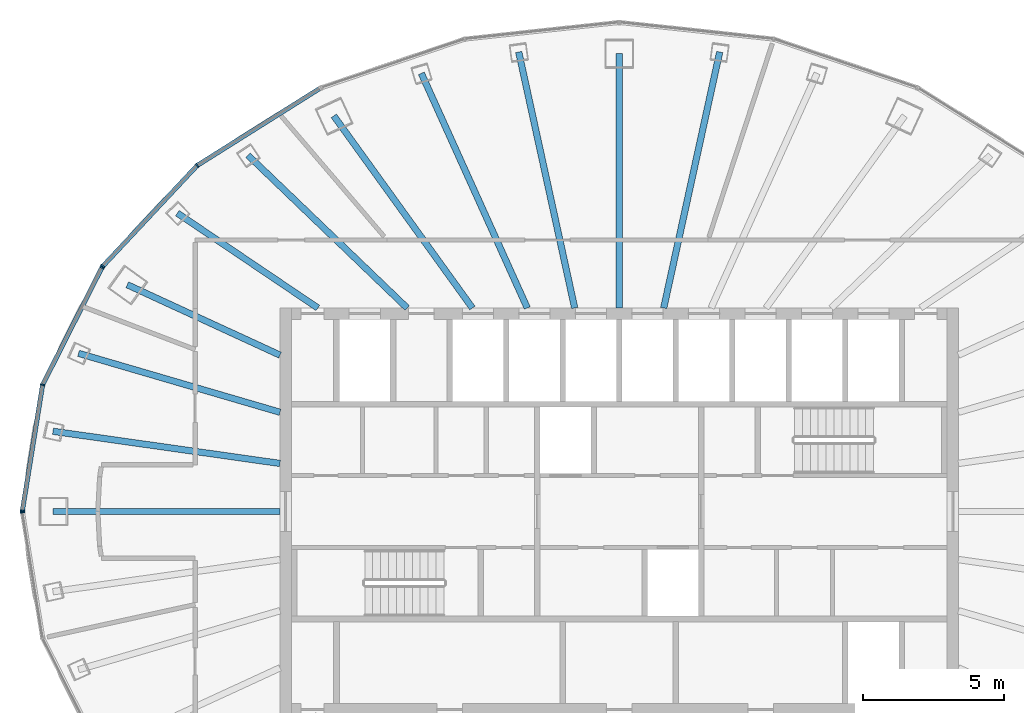
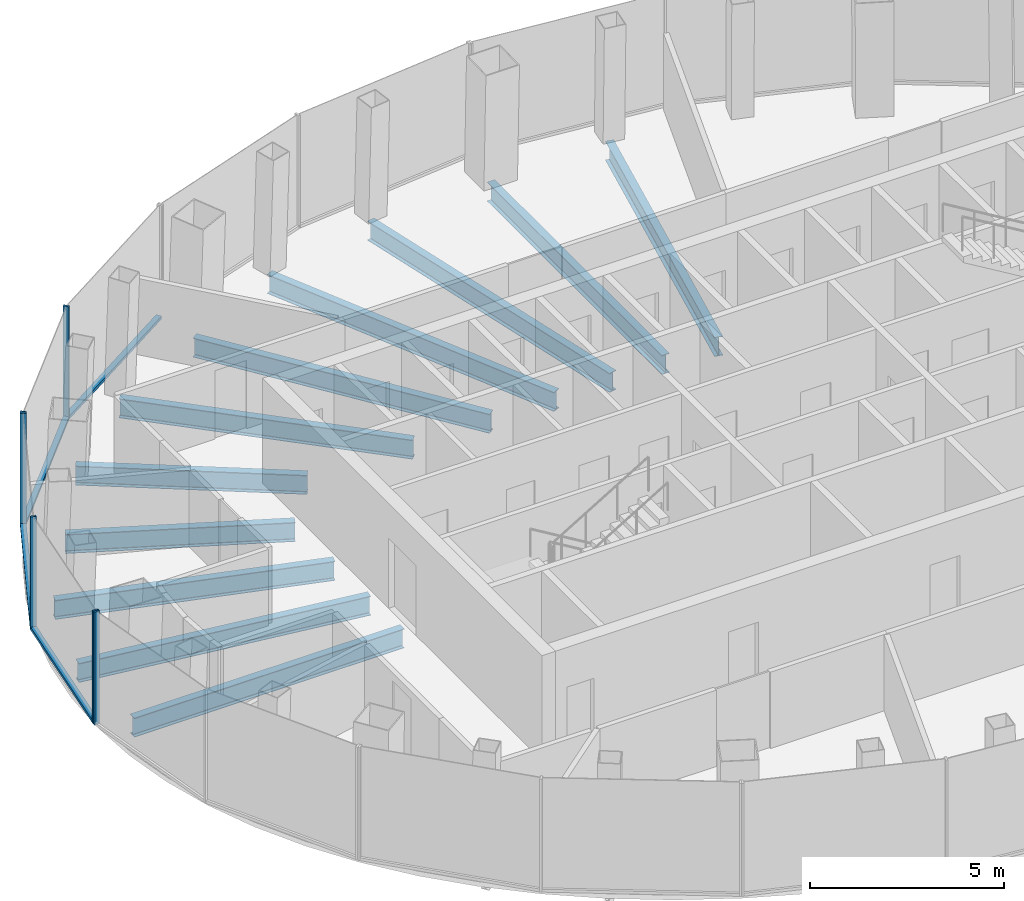
# One storey, part 4 of 11: 11 beams, 10 members, 3 elements without a shape of their own.
"""IFC4 building model written with IfcOpenShell, lengths in metres."""

from ifc_helpers import new_model, si_unit, direction, frame, origin, origin_2d, place, context, subcontext, project, spatial, rectangle, i_section, extrude, material, layer, layer_set, material_profile, profile_set, type_object, element, aggregate, save


model = new_model("IFC4")

# Units and contexts
model_context = context("Model", 3, precision=1e-05, world=origin(), true_north=direction((0.0, 1.0)))
body_context = subcontext(model_context, "Body", "Model", "MODEL_VIEW")
ifc_project = project(units=[si_unit("LENGTHUNIT", "METRE"), si_unit("AREAUNIT", "SQUARE_METRE"), si_unit("VOLUMEUNIT", "CUBIC_METRE"), si_unit("PLANEANGLEUNIT", "RADIAN"), si_unit("MASSUNIT", "GRAM", prefix="KILO")], contexts=[model_context])

# Site, building, storey
site_placement = place(None, origin())
site = spatial("IfcSite", under=ifc_project, at=site_placement, CompositionType="ELEMENT")
building_placement = place(site_placement, origin())
building = spatial("IfcBuilding", under=site, at=building_placement, Name="Siaravel Broadcast Tower", CompositionType="ELEMENT")
storey_placement = place(building_placement, frame((0.0, 0.0, 243.0)))
storey = spatial("IfcBuildingStorey", under=building, at=storey_placement, Name="L59", CompositionType="ELEMENT", Elevation=243.0)

# Beams
ifc_material_1 = material(Name="Steel S355", Category="steel")
ifc_material_profile_1 = material_profile(ifc_material_1, i_section(OverallWidth=0.2275390625, OverallDepth=0.6025390625, WebThickness=0.010498046875, FlangeThickness=0.014892578125, FilletRadius=0.0126953125, at=origin_2d()))
ifc_profile_set_1 = profile_set([ifc_material_profile_1], Name="Steel S355")
beam_type = type_object("IfcBeamType", Name="BM-UB 610x229x101", PredefinedType="BEAM", material=ifc_profile_set_1)
beam_1_placement = place(storey_placement, frame((3.55517578125, 16.254638671875, -0.451416015625), z_axis=(-0.213671741, -0.976905516, 0.0), x_axis=(0.976905516, -0.213671741, 0.0)))
element("IfcBeam", 1, at=beam_1_placement, inside=storey, type_object=beam_type, Name="Radial beam RB09", PredefinedType="BEAM", context=body_context, shape_type="SweptSolid", body=[
    extrude(i_section(OverallWidth=0.2275390625, OverallDepth=0.6025390625, WebThickness=0.010498046875, FlangeThickness=0.014892578125, FilletRadius=0.0126953125, at=origin_2d()), origin(), (0.0, 0.0, 1.0), 9.268798828125),
])
beam_2_placement = place(storey_placement, frame((0.0, 16.20947265625, -0.451416015625), z_axis=(0.0, -1.0, 0.0), x_axis=(1.0, 0.0, 0.0)))
element("IfcBeam", 2, at=beam_2_placement, inside=storey, type_object=beam_type, Name="Radial beam RB10", PredefinedType="BEAM", context=body_context, shape_type="SweptSolid", body=[
    extrude(i_section(OverallWidth=0.2275390625, OverallDepth=0.6025390625, WebThickness=0.010498046875, FlangeThickness=0.014892578125, FilletRadius=0.0126953125, at=origin_2d()), origin(), (0.0, 0.0, 1.0), 9.009521484375),
])
beam_3_placement = place(storey_placement, frame((-3.55517578125, 16.254638671875, -0.451416015625), z_axis=(0.213671741, -0.976905516, 0.0), x_axis=(0.976905516, 0.213671741, 0.0)))
element("IfcBeam", 3, at=beam_3_placement, inside=storey, type_object=beam_type, Name="Radial beam RB11", PredefinedType="BEAM", context=body_context, shape_type="SweptSolid", body=[
    extrude(i_section(OverallWidth=0.2275390625, OverallDepth=0.6025390625, WebThickness=0.010498046875, FlangeThickness=0.014892578125, FilletRadius=0.0126953125, at=origin_2d()), origin(), (0.0, 0.0, 1.0), 9.268798828125),
])
beam_4_placement = place(storey_placement, frame((-6.9990234375, 15.498779296875, -0.451416015625), z_axis=(0.411559424, -0.911382928, 0.0), x_axis=(0.911382928, 0.411559424, 0.0)))
element("IfcBeam", 4, at=beam_4_placement, inside=storey, type_object=beam_type, Name="Radial beam RB12", PredefinedType="BEAM", context=body_context, shape_type="SweptSolid", body=[
    extrude(i_section(OverallWidth=0.2275390625, OverallDepth=0.6025390625, WebThickness=0.010498046875, FlangeThickness=0.014892578125, FilletRadius=0.0126953125, at=origin_2d()), origin(), (0.0, 0.0, 1.0), 9.105712890625),
])
beam_5_placement = place(storey_placement, frame((-10.095703125, 13.995849609375, -0.451416015625), z_axis=(0.585016008, -0.811021744, 0.0), x_axis=(0.811021744, 0.585016008, 0.0)))
element("IfcBeam", 5, at=beam_5_placement, inside=storey, type_object=beam_type, Name="Radial beam RB13", PredefinedType="BEAM", context=body_context, shape_type="SweptSolid", body=[
    extrude(i_section(OverallWidth=0.2275390625, OverallDepth=0.6025390625, WebThickness=0.010498046875, FlangeThickness=0.014892578125, FilletRadius=0.0126953125, at=origin_2d()), origin(), (0.0, 0.0, 1.0), 8.37939453125),
])
beam_6_placement = place(storey_placement, frame((-13.130126953125, 12.6005859375, -0.451416015625), z_axis=(0.721496776, -0.692417795, 0.0), x_axis=(0.692417795, 0.721496776, 0.0)))
element("IfcBeam", 6, at=beam_6_placement, inside=storey, type_object=beam_type, Name="Radial beam RB14", PredefinedType="BEAM", context=body_context, shape_type="SweptSolid", body=[
    extrude(i_section(OverallWidth=0.2275390625, OverallDepth=0.6025390625, WebThickness=0.010498046875, FlangeThickness=0.014892578125, FilletRadius=0.0126953125, at=origin_2d()), origin(), (0.0, 0.0, 1.0), 7.799560546875),
])
beam_7_placement = place(storey_placement, frame((-15.629150390625, 10.5537109375, -0.451416015625), z_axis=(0.82874523, -0.559626074, 0.0), x_axis=(0.559626074, 0.82874523, 0.0)))
element("IfcBeam", 7, at=beam_7_placement, inside=storey, type_object=beam_type, Name="Radial beam RB15", PredefinedType="BEAM", context=body_context, shape_type="SweptSolid", body=[
    extrude(i_section(OverallWidth=0.2275390625, OverallDepth=0.6025390625, WebThickness=0.010498046875, FlangeThickness=0.014892578125, FilletRadius=0.0126953125, at=origin_2d()), origin(), (0.0, 0.0, 1.0), 5.992919921875),
])
beam_8_placement = place(storey_placement, frame((-17.401611328125, 8.02099609375, -0.451416015625), z_axis=(0.908170712, -0.418599997, 0.0), x_axis=(0.418599997, 0.908170712, 0.0)))
element("IfcBeam", 8, at=beam_8_placement, inside=storey, type_object=beam_type, Name="Radial beam RB16", PredefinedType="BEAM", context=body_context, shape_type="SweptSolid", body=[
    extrude(i_section(OverallWidth=0.2275390625, OverallDepth=0.6025390625, WebThickness=0.010498046875, FlangeThickness=0.014892578125, FilletRadius=0.0126953125, at=origin_2d()), origin(), (0.0, 0.0, 1.0), 5.94775390625),
])
beam_9_placement = place(storey_placement, frame((-19.12646484375, 5.59521484375, -0.451416015625), z_axis=(0.95977653, -0.280765049, 0.0), x_axis=(0.280765049, 0.95977653, 0.0)))
element("IfcBeam", 9, at=beam_9_placement, inside=storey, type_object=beam_type, Name="Radial beam RB17", PredefinedType="BEAM", context=body_context, shape_type="SweptSolid", body=[
    extrude(i_section(OverallWidth=0.2275390625, OverallDepth=0.6025390625, WebThickness=0.010498046875, FlangeThickness=0.014892578125, FilletRadius=0.0126953125, at=origin_2d()), origin(), (0.0, 0.0, 1.0), 7.425048828125),
])
beam_10_placement = place(storey_placement, frame((-20.02880859375, 2.83740234375, -0.451416015625), z_axis=(0.990113211, -0.140270554, 0.0), x_axis=(0.140270554, 0.990113211, 0.0)))
element("IfcBeam", 10, at=beam_10_placement, inside=storey, type_object=beam_type, Name="Radial beam RB18", PredefinedType="BEAM", context=body_context, shape_type="SweptSolid", body=[
    extrude(i_section(OverallWidth=0.2275390625, OverallDepth=0.6025390625, WebThickness=0.010498046875, FlangeThickness=0.014892578125, FilletRadius=0.0126953125, at=origin_2d()), origin(), (0.0, 0.0, 1.0), 8.10888671875),
])
beam_11_placement = place(storey_placement, frame((-20.031982421875, 0.0, -0.451416015625), z_axis=(1.0, 0.0, 0.0), x_axis=(0.0, 1.0, 0.0)))
element("IfcBeam", 11, at=beam_11_placement, inside=storey, type_object=beam_type, Name="Radial beam RB19", PredefinedType="BEAM", context=body_context, shape_type="SweptSolid", body=[
    extrude(i_section(OverallWidth=0.2275390625, OverallDepth=0.6025390625, WebThickness=0.010498046875, FlangeThickness=0.014892578125, FilletRadius=0.0126953125, at=origin_2d()), origin(), (0.0, 0.0, 1.0), 8.031982421875),
])

# Curtain wall, members
ifc_material_2 = material(Name="Aluminium 6063-T6", Category="aluminium")
ifc_layer = layer(ifc_material_2, 0.159912109375)
ifc_layer_set = layer_set([ifc_layer], Name="Aluminium 6063-T6")
curtain_wall_type = type_object("IfcCurtainWallType", Name="Unitised curtain wall, zone 4", PredefinedType="NOTDEFINED", material=ifc_layer_set)
curtain_wall_1_placement = place(storey_placement, origin())
curtain_wall_1 = element("IfcCurtainWall", 12, at=curtain_wall_1_placement, inside=storey, type_object=curtain_wall_type, Name="L59 Unitised curtain wall, zone 4 05", PredefinedType="NOTDEFINED")
ifc_material_profile_2 = material_profile(ifc_material_2, rectangle(XDim=0.159912109375, YDim=0.054931640625, at=origin_2d()))
ifc_profile_set_2 = profile_set([ifc_material_profile_2], Name="Aluminium 6063-T6")
member_type_1 = type_object("IfcMemberType", Name="CW-Z4 mullion", PredefinedType="MULLION", material=ifc_profile_set_2)
member_1_placement = place(storey_placement, frame((-14.928955078125, 12.2412109375, 0.0), z_axis=(0.0, 0.0, 1.0), x_axis=(0.636219923, -0.771507751, 0.0)))
member_1 = element("IfcMember", 13, at=member_1_placement, type_object=member_type_1, Name="CW-Z4 mullion 2", PredefinedType="MULLION", context=body_context, shape_type="SweptSolid", body=[
    extrude(rectangle(XDim=0.159912109375, YDim=0.054931640625, at=origin_2d()), origin(), (0.0, 0.0, 1.0), 3.550048828125),
])
member_2_placement = place(storey_placement, frame((-18.267333984375, 8.67724609375, 0.0), z_axis=(0.0, 0.0, 1.0), x_axis=(0.729806527, -0.683653738, 0.0)))
member_2 = element("IfcMember", 14, at=member_2_placement, type_object=member_type_1, Name="CW-Z4 mullion 3", PredefinedType="MULLION", context=body_context, shape_type="SweptSolid", body=[
    extrude(rectangle(XDim=0.159912109375, YDim=0.054931640625, at=origin_2d()), origin(), (0.0, 0.0, 1.0), 3.550048828125),
])

curtain_wall_2_placement = place(storey_placement, origin())
curtain_wall_2 = element("IfcCurtainWall", 15, at=curtain_wall_2_placement, inside=storey, type_object=curtain_wall_type, Name="L59 Unitised curtain wall, zone 4 06", PredefinedType="NOTDEFINED")
member_3_placement = place(storey_placement, frame((-18.298583984375, 8.6328125, 0.0), z_axis=(0.0, 0.0, 1.0), x_axis=(0.892392891, -0.451259268, 0.0)))
member_3 = element("IfcMember", 16, at=member_3_placement, type_object=member_type_1, Name="CW-Z4 mullion 1", PredefinedType="MULLION", context=body_context, shape_type="SweptSolid", body=[
    extrude(rectangle(XDim=0.159912109375, YDim=0.054931640625, at=origin_2d()), origin(), (0.0, 0.0, 1.0), 3.550048828125),
])
member_4_placement = place(storey_placement, frame((-20.3974609375, 4.48193359375, 0.0), z_axis=(0.0, 0.0, 1.0), x_axis=(0.951177611, -0.308644055, 0.0)))
member_4 = element("IfcMember", 17, at=member_4_placement, type_object=member_type_1, Name="CW-Z4 mullion 2", PredefinedType="MULLION", context=body_context, shape_type="SweptSolid", body=[
    extrude(rectangle(XDim=0.159912109375, YDim=0.054931640625, at=origin_2d()), origin(), (0.0, 0.0, 1.0), 3.550048828125),
])
member_5_placement = place(storey_placement, frame((-21.11328125, 0.027099609375, 0.0), z_axis=(0.0, 0.0, 1.0), x_axis=(0.987329304, -0.158684735, 0.0)))
member_5 = element("IfcMember", 18, at=member_5_placement, type_object=member_type_1, Name="CW-Z4 mullion 3", PredefinedType="MULLION", context=body_context, shape_type="SweptSolid", body=[
    extrude(rectangle(XDim=0.159912109375, YDim=0.054931640625, at=origin_2d()), origin(), (0.0, 0.0, 1.0), 3.550048828125),
])

# Curtain wall, member
curtain_wall_3_placement = place(storey_placement, origin())
curtain_wall_3 = element("IfcCurtainWall", 19, at=curtain_wall_3_placement, inside=storey, type_object=curtain_wall_type, Name="L59 Unitised curtain wall, zone 4 07", PredefinedType="NOTDEFINED")
member_6_placement = place(storey_placement, frame((-21.11328125, -0.027099609375, 0.0), z_axis=(0.0, 0.0, 1.0), x_axis=(0.987329304, 0.158684735, 0.0)))
member_6 = element("IfcMember", 20, at=member_6_placement, type_object=member_type_1, Name="CW-Z4 mullion 1", PredefinedType="MULLION", context=body_context, shape_type="SweptSolid", body=[
    extrude(rectangle(XDim=0.159912109375, YDim=0.054931640625, at=origin_2d()), origin(), (0.0, 0.0, 1.0), 3.550048828125),
])
aggregate(curtain_wall_3, [member_6])

# Member
ifc_material_profile_3 = material_profile(ifc_material_2, rectangle(XDim=0.159912109375, YDim=0.090087890625, at=origin_2d()))
ifc_profile_set_3 = profile_set([ifc_material_profile_3], Name="Aluminium 6063-T6")
member_type_2 = type_object("IfcMemberType", Name="CW-Z4 transom", PredefinedType="USERDEFINED", material=ifc_profile_set_3)
member_7_placement = place(storey_placement, frame((-10.601806640625, 14.960693359375, 0.044921875), z_axis=(-0.84666808, -0.532121379, 0.0), x_axis=(0.532121379, -0.84666808, 0.0)))
member_7 = element("IfcMember", 21, at=member_7_placement, type_object=member_type_2, Name="CW-Z4 transom 1", ObjectType="TRANSOM", PredefinedType="USERDEFINED", context=body_context, shape_type="SweptSolid", body=[
    extrude(rectangle(XDim=0.159912109375, YDim=0.090087890625, at=origin_2d()), origin(), (0.0, 0.0, 1.0), 5.0830078125),
])

member_8_placement = place(storey_placement, frame((-14.94775390625, 12.22119140625, 0.044921875), z_axis=(-0.683646721, -0.7298131, 0.0), x_axis=(0.7298131, -0.683646721, 0.0)))
member_8 = element("IfcMember", 22, at=member_8_placement, type_object=member_type_2, Name="CW-Z4 transom 2", ObjectType="TRANSOM", PredefinedType="USERDEFINED", context=body_context, shape_type="SweptSolid", body=[
    extrude(rectangle(XDim=0.159912109375, YDim=0.090087890625, at=origin_2d()), origin(), (0.0, 0.0, 1.0), 4.828125),
])

aggregate(curtain_wall_1, [member_1, member_2, member_7, member_8])

member_9_placement = place(storey_placement, frame((-18.310791015625, 8.608154296875, 0.044921875), z_axis=(-0.451288387, -0.892378166, 0.0), x_axis=(0.892378166, -0.451288387, 0.0)))
member_9 = element("IfcMember", 23, at=member_9_placement, type_object=member_type_2, Name="CW-Z4 transom 1", ObjectType="TRANSOM", PredefinedType="USERDEFINED", context=body_context, shape_type="SweptSolid", body=[
    extrude(rectangle(XDim=0.159912109375, YDim=0.090087890625, at=origin_2d()), origin(), (0.0, 0.0, 1.0), 4.59619140625),
])

member_10_placement = place(storey_placement, frame((-20.40185546875, 4.454833984375, 0.044921875), z_axis=(-0.15868477, -0.987329299, 0.0), x_axis=(0.987329299, -0.15868477, 0.0)))
member_10 = element("IfcMember", 24, at=member_10_placement, type_object=member_type_2, Name="CW-Z4 transom 2", ObjectType="TRANSOM", PredefinedType="USERDEFINED", context=body_context, shape_type="SweptSolid", body=[
    extrude(rectangle(XDim=0.159912109375, YDim=0.090087890625, at=origin_2d()), origin(), (0.0, 0.0, 1.0), 4.45703125),
])

aggregate(curtain_wall_2, [member_3, member_4, member_5, member_9, member_10])

save(model, "model.ifc")
